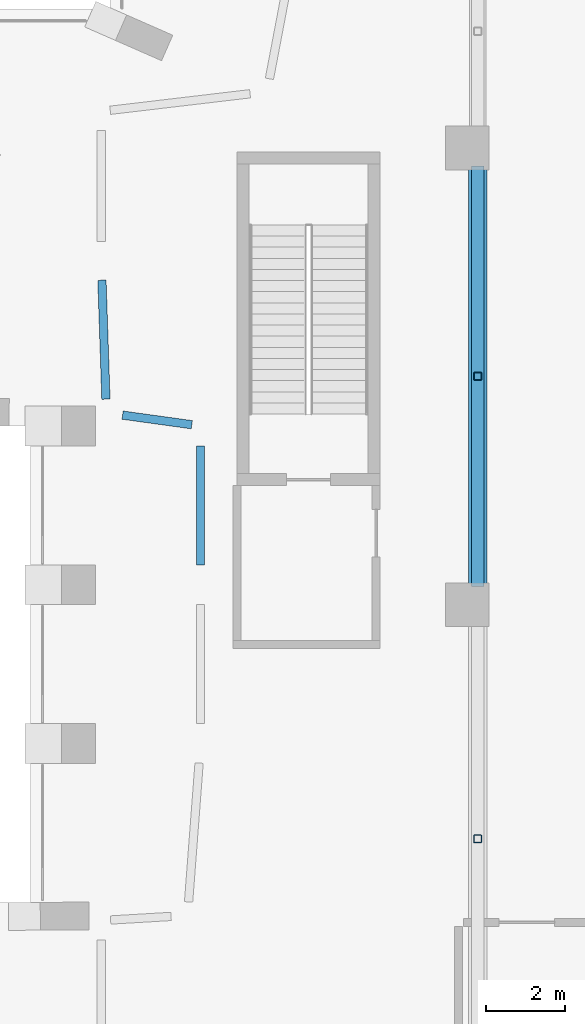
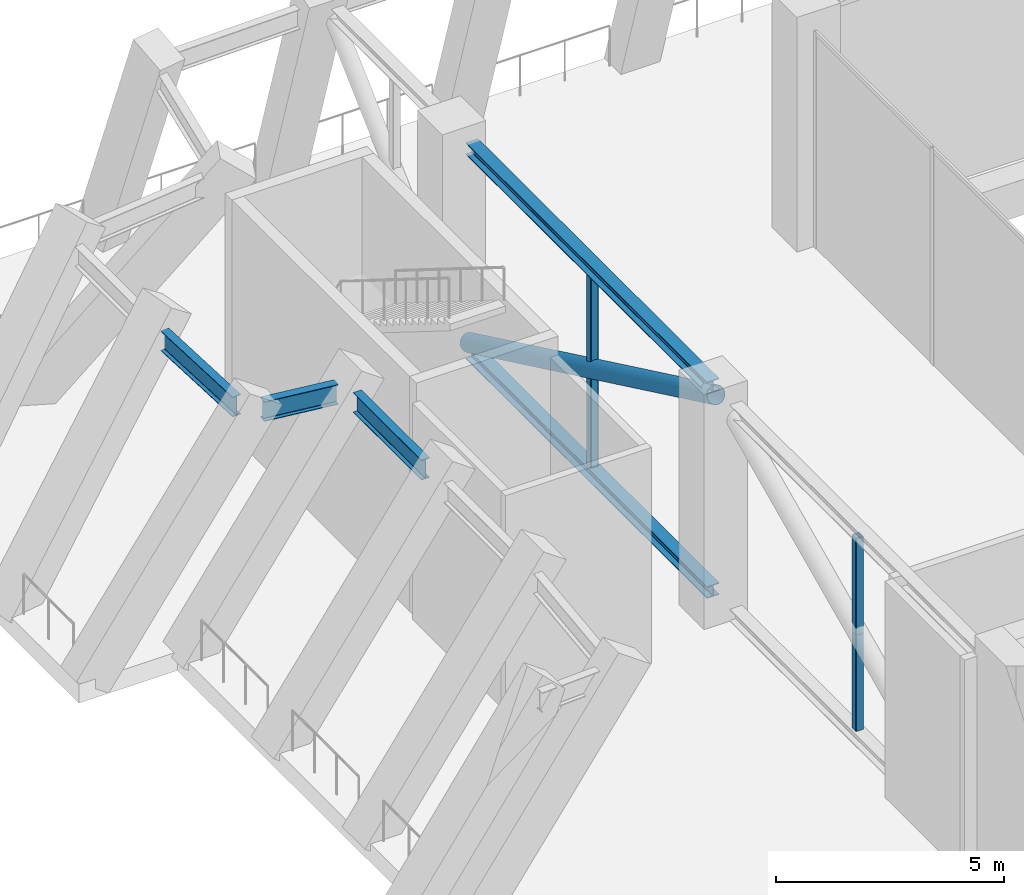
# One storey, part 2 of 14: 7 members, 3 beams.
"""IFC4 building model written with IfcOpenShell, lengths in metres."""

from ifc_helpers import new_model, si_unit, direction, frame, origin, origin_2d, place, context, subcontext, project, spatial, hollow_rectangle, hollow_circle, i_section, extrude, material, material_profile, profile_set, type_object, element, save


model = new_model("IFC4")

# Units and contexts
model_context = context("Model", 3, precision=1e-05, world=origin(), true_north=direction((0.0, 1.0)))
body_context = subcontext(model_context, "Body", "Model", "MODEL_VIEW")
ifc_project = project(units=[si_unit("LENGTHUNIT", "METRE"), si_unit("AREAUNIT", "SQUARE_METRE"), si_unit("VOLUMEUNIT", "CUBIC_METRE"), si_unit("PLANEANGLEUNIT", "RADIAN"), si_unit("MASSUNIT", "GRAM", prefix="KILO")], contexts=[model_context])

# Site, building, storey
site_placement = place(None, origin())
site = spatial("IfcSite", under=ifc_project, at=site_placement, CompositionType="ELEMENT")
building_placement = place(site_placement, origin())
building = spatial("IfcBuilding", under=site, at=building_placement, Name="Brigalow Station Residences", CompositionType="ELEMENT")
storey_placement = place(building_placement, frame((0.0, 0.0, 185.39990234375)))
storey = spatial("IfcBuildingStorey", under=building, at=storey_placement, Name="L54", CompositionType="ELEMENT", Elevation=185.39990234375)

# Beams
ifc_material_1 = material(Name="Steel Grade 300 to AS/NZS 3679.1", Category="steel")
ifc_material_profile_1 = material_profile(ifc_material_1, i_section(OverallWidth=0.208984375, OverallDepth=0.532958984375, WebThickness=0.01025390625, FlangeThickness=0.015625, FilletRadius=0.013916015625, at=origin_2d()), Name="530UB92.4")
ifc_profile_set_1 = profile_set([ifc_material_profile_1], Name="Steel Grade 300 to AS/NZS 3679.1")
beam_type = type_object("IfcBeamType", Name="BELT GIRDER 530UB92.4", PredefinedType="USERDEFINED", material=ifc_profile_set_1)
beam_1_placement = place(storey_placement, frame((8.796875, 32.169677734375, 5.53369140625), z_axis=(0.033385322425, -0.999442554751, 0.0), x_axis=(0.999442554751, 0.033385322425, 0.0)))
element("IfcBeam", 1, at=beam_1_placement, inside=storey, type_object=beam_type, Name="BELT GIRDER 32 L54", ObjectType="BELT GIRDER", PredefinedType="USERDEFINED", context=body_context, shape_type="SweptSolid", body=[
    extrude(i_section(OverallWidth=0.208984375, OverallDepth=0.532958984375, WebThickness=0.01025390625, FlangeThickness=0.015625, FilletRadius=0.013916015625, at=origin_2d()), origin(), (0.0, 0.0, 1.0), 2.998291015625),
])
beam_2_placement = place(storey_placement, frame((9.317138671875, 28.771484375, 5.53369140625), z_axis=(0.990567269225, -0.137027315308, 0.0), x_axis=(0.137027315308, 0.990567269225, 0.0)))
element("IfcBeam", 2, at=beam_2_placement, inside=storey, type_object=beam_type, Name="BELT GIRDER 33 L54", ObjectType="BELT GIRDER", PredefinedType="USERDEFINED", context=body_context, shape_type="SweptSolid", body=[
    extrude(i_section(OverallWidth=0.208984375, OverallDepth=0.532958984375, WebThickness=0.01025390625, FlangeThickness=0.015625, FilletRadius=0.013916015625, at=origin_2d()), origin(), (0.0, 0.0, 1.0), 1.758544921875),
])
beam_3_placement = place(storey_placement, frame((11.280517578125, 28.0, 5.53369140625), z_axis=(0.0, -1.0, 0.0), x_axis=(1.0, 0.0, 0.0)))
element("IfcBeam", 3, at=beam_3_placement, inside=storey, type_object=beam_type, Name="BELT GIRDER 34 L54", ObjectType="BELT GIRDER", PredefinedType="USERDEFINED", context=body_context, shape_type="SweptSolid", body=[
    extrude(i_section(OverallWidth=0.208984375, OverallDepth=0.532958984375, WebThickness=0.01025390625, FlangeThickness=0.015625, FilletRadius=0.013916015625, at=origin_2d()), origin(), (0.0, 0.0, 1.0), 3.0),
])

# Members
ifc_material_2 = material(Name="Steel Grade C350L0 to AS/NZS 1163", Category="steel")
ifc_material_profile_2 = material_profile(ifc_material_2, hollow_circle(Radius=0.228515625, WallThickness=0.0126953125, at=origin_2d()), Name="457.0x12.7CHS")
ifc_profile_set_2 = profile_set([ifc_material_profile_2], Name="Steel Grade C350L0 to AS/NZS 1163")
member_type_1 = type_object("IfcMemberType", Name="OUTRIGGER BRACE 457.0x12.7CHS", PredefinedType="BRACE", material=ifc_profile_set_2)
member_placement = place(storey_placement, frame((18.260009765625, 24.329833984375, 5.485595703125), z_axis=(0.0, 0.902574759932, -0.430533161015), x_axis=(-1.0, 0.0, 0.0)))
element("IfcMember", 4, at=member_placement, inside=storey, type_object=member_type_1, Name="OUTRIGGER BRACE W2 L54", PredefinedType="BRACE", context=body_context, shape_type="SweptSolid", body=[
    extrude(hollow_circle(Radius=0.228515625, WallThickness=0.0126953125, at=origin_2d()), origin(), (0.0, 0.0, 1.0), 12.010498046875),
])
ifc_material_3 = material(Name="Steel Grade 300 to AS/NZS 3679.1", Category="steel")
ifc_material_profile_3 = material_profile(ifc_material_3, i_section(OverallWidth=0.30908203125, OverallDepth=0.320556640625, WebThickness=0.013916015625, FlangeThickness=0.021728515625, FilletRadius=0.0166015625, at=origin_2d()), Name="310UC137")
ifc_profile_set_3 = profile_set([ifc_material_profile_3], Name="Steel Grade 300 to AS/NZS 3679.1")
member_type_2 = type_object("IfcMemberType", Name="OUTRIGGER CHORD 310UC137", PredefinedType="CHORD", material=ifc_profile_set_3)
for number, where, z_axis, x_axis, name in (
    (5, (18.260009765625, 24.449951171875, 0.157470703125), (0.0, 1.0, 0.0), (-1.0, 0.0, 0.0), "OUTRIGGER CHORD W LOWER 2 L54"),
    (6, (18.260009765625, 24.449951171875, 5.642822265625), (0.0, 1.0, 0.0), (-1.0, 0.0, 0.0), "OUTRIGGER CHORD W UPPER 2 L54"),
):
    element("IfcMember", number, at=place(storey_placement, frame(where, z_axis=z_axis, x_axis=x_axis)), inside=storey, type_object=member_type_2, Name=name, PredefinedType="CHORD", context=body_context, shape_type="SweptSolid", body=[
        extrude(i_section(OverallWidth=0.30908203125, OverallDepth=0.320556640625, WebThickness=0.013916015625, FlangeThickness=0.021728515625, FilletRadius=0.0166015625, at=origin_2d()), origin(), (0.0, 0.0, 1.0), 10.60009765625),
    ])
ifc_material_4 = material(Name="Steel Grade C450L0 to AS/NZS 1163", Category="steel")
ifc_material_profile_4 = material_profile(ifc_material_4, hollow_rectangle(XDim=0.199951171875, YDim=0.199951171875, WallThickness=0.009033203125, InnerFilletRadius=0.013427734375, OuterFilletRadius=0.0224609375, at=origin_2d()), Name="200x200x9.0SHS")
ifc_profile_set_4 = profile_set([ifc_material_profile_4], Name="Steel Grade C450L0 to AS/NZS 1163")
member_type_3 = type_object("IfcMemberType", Name="OUTRIGGER POST 200x200x9.0SHS", PredefinedType="POST", material=ifc_profile_set_4)
for number, where, z_axis, x_axis, name in (
    (7, (18.260009765625, 18.10009765625, 0.314697265625), (0.0, 0.0, 1.0), (1.0, 0.0, 0.0), "OUTRIGGER POST W1L L54"),
    (8, (18.260009765625, 18.10009765625, 2.900146484375), (0.0, 0.0, 1.0), (1.0, 0.0, 0.0), "OUTRIGGER POST W1U L54"),
    (9, (18.260009765625, 29.75, 0.314697265625), (0.0, 0.0, 1.0), (1.0, 0.0, 0.0), "OUTRIGGER POST W2L L54"),
    (10, (18.260009765625, 29.75, 2.900146484375), (0.0, 0.0, 1.0), (1.0, 0.0, 0.0), "OUTRIGGER POST W2U L54"),
):
    element("IfcMember", number, at=place(storey_placement, frame(where, z_axis=z_axis, x_axis=x_axis)), inside=storey, type_object=member_type_3, Name=name, PredefinedType="POST", context=body_context, shape_type="SweptSolid", body=[
        extrude(hollow_rectangle(XDim=0.199951171875, YDim=0.199951171875, WallThickness=0.009033203125, InnerFilletRadius=0.013427734375, OuterFilletRadius=0.0224609375, at=origin_2d()), origin(), (0.0, 0.0, 1.0), 2.58544921875),
    ])

save(model, "model.ifc")
